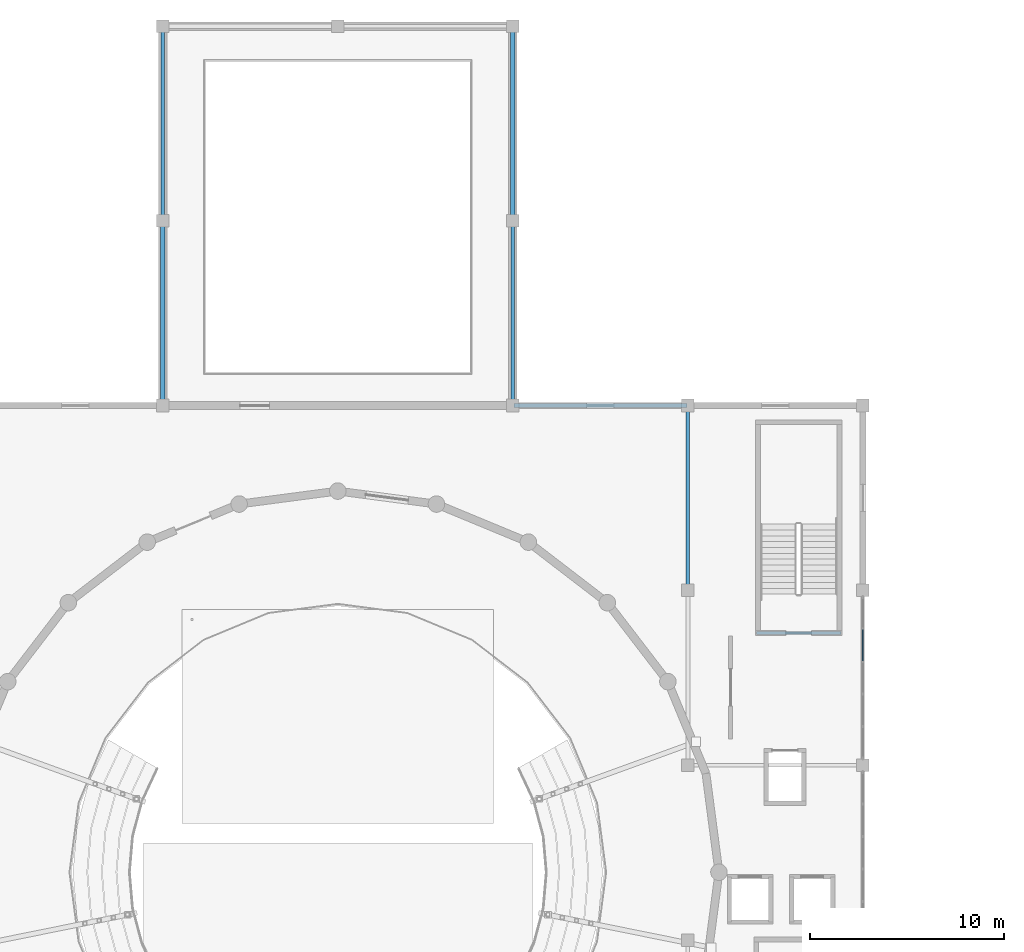
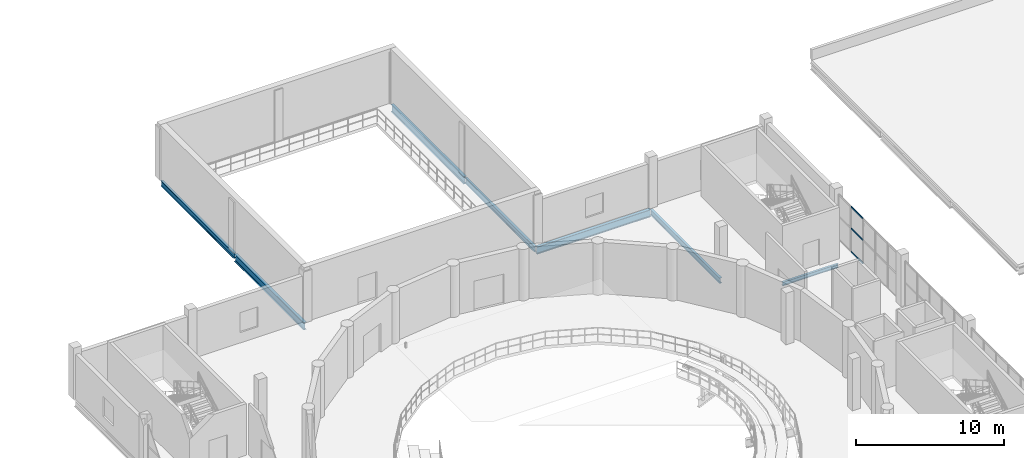
# One storey, part 25 of 54: 7 beams, 3 members, 1 element without a shape of its own.
"""IFC4 building model written with IfcOpenShell, lengths in metres."""

from ifc_helpers import new_model, si_unit, direction, frame, origin, origin_2d, place, context, subcontext, project, spatial, rectangle, i_section, extrude, material, layer, layer_set, material_profile, profile_set, type_object, element, aggregate, save


model = new_model("IFC4")

# Units and contexts
model_context = context("Model", 3, precision=1e-05, world=origin(), true_north=direction((0.0, 1.0)))
body_context = subcontext(model_context, "Body", "Model", "MODEL_VIEW")
ifc_project = project(units=[si_unit("LENGTHUNIT", "METRE"), si_unit("AREAUNIT", "SQUARE_METRE"), si_unit("VOLUMEUNIT", "CUBIC_METRE"), si_unit("PLANEANGLEUNIT", "RADIAN"), si_unit("MASSUNIT", "GRAM", prefix="KILO")], contexts=[model_context])

# Site, building, storey
site_placement = place(None, origin())
site = spatial("IfcSite", under=ifc_project, at=site_placement, CompositionType="ELEMENT")
building_placement = place(site_placement, origin())
building = spatial("IfcBuilding", under=site, at=building_placement, Name="Marnock Terrace Opera House", CompositionType="ELEMENT")
storey_placement = place(building_placement, frame((0.0, 0.0, 19.199951171875)))
storey = spatial("IfcBuildingStorey", under=building, at=storey_placement, Name="L04", CompositionType="ELEMENT", Elevation=19.199951171875)

# Beams
ifc_material_1 = material(Name="Steel Grade 350 (AS/NZS 3679.1)", Category="steel")
ifc_material_profile_1 = material_profile(ifc_material_1, i_section(OverallWidth=0.18994140625, OverallDepth=0.45751953125, WebThickness=0.009033203125, FlangeThickness=0.014404296875, FilletRadius=0.011474609375, at=origin_2d()))
ifc_profile_set_1 = profile_set([ifc_material_profile_1], Name="Steel Grade 350 (AS/NZS 3679.1)")
beam_type_1 = type_object("IfcBeamType", Name="BM-GIRD-460B", PredefinedType="BEAM", material=ifc_profile_set_1)
beam_1_placement = place(storey_placement, frame((73.0, 94.050048828125, -0.478759765625), z_axis=(0.0, 1.0, 0.0), x_axis=(-1.0, 0.0, 0.0)))
element("IfcBeam", 1, at=beam_1_placement, inside=storey, type_object=beam_type_1, Name="L04 girder (X=73.0, 94.0..104.0)", PredefinedType="BEAM", context=body_context, shape_type="SweptSolid", body=[
    extrude(i_section(OverallWidth=0.18994140625, OverallDepth=0.45751953125, WebThickness=0.009033203125, FlangeThickness=0.014404296875, FilletRadius=0.011474609375, at=origin_2d()), origin(), (0.0, 0.0, 1.0), 9.89990234375),
])
for number, where, z_axis, x_axis, name in (
    (2, (91.0, 84.550048828125, -0.478759765625), (0.0, 1.0, 0.0), (-1.0, 0.0, 0.0), "L04 girder (X=91.0, 84.5..94.0)"),
    (3, (100.0, 75.050048828125, -0.478759765625), (0.0, 1.0, 0.0), (-1.0, 0.0, 0.0), "L04 girder (X=100.0, 75.0..84.5)"),
):
    element("IfcBeam", number, at=place(storey_placement, frame(where, z_axis=z_axis, x_axis=x_axis)), inside=storey, type_object=beam_type_1, Name=name, PredefinedType="BEAM", context=body_context, shape_type="SweptSolid", body=[
        extrude(i_section(OverallWidth=0.18994140625, OverallDepth=0.45751953125, WebThickness=0.009033203125, FlangeThickness=0.014404296875, FilletRadius=0.011474609375, at=origin_2d()), origin(), (0.0, 0.0, 1.0), 9.39990234375),
    ])
ifc_material_profile_2 = material_profile(ifc_material_1, i_section(OverallWidth=0.22802734375, OverallDepth=0.60693359375, WebThickness=0.01123046875, FlangeThickness=0.017333984375, FilletRadius=0.013916015625, at=origin_2d()))
ifc_profile_set_2 = profile_set([ifc_material_profile_2], Name="Steel Grade 350 (AS/NZS 3679.1)")
beam_type_2 = type_object("IfcBeamType", Name="BM-GIRD-610B", PredefinedType="BEAM", material=ifc_profile_set_2)
beam_2_placement = place(storey_placement, frame((91.050048828125, 84.5, -0.553466796875), z_axis=(1.0, 0.0, 0.0), x_axis=(0.0, 1.0, 0.0)))
element("IfcBeam", 4, at=beam_2_placement, inside=storey, type_object=beam_type_2, Name="L04 girder (91.0..100.0, Y=84.5)", PredefinedType="BEAM", context=body_context, shape_type="SweptSolid", body=[
    extrude(i_section(OverallWidth=0.22802734375, OverallDepth=0.60693359375, WebThickness=0.01123046875, FlangeThickness=0.017333984375, FilletRadius=0.013916015625, at=origin_2d()), origin(), (0.0, 0.0, 1.0), 8.89990234375),
])
ifc_material_profile_3 = material_profile(ifc_material_1, i_section(OverallWidth=0.22802734375, OverallDepth=0.60205078125, WebThickness=0.010498046875, FlangeThickness=0.014892578125, FilletRadius=0.013916015625, at=origin_2d()))
ifc_profile_set_3 = profile_set([ifc_material_profile_3], Name="Steel Grade 350 (AS/NZS 3679.1)")
beam_type_3 = type_object("IfcBeamType", Name="BM-GIRD-610C", PredefinedType="BEAM", material=ifc_profile_set_3)
beam_3_placement = place(storey_placement, frame((73.0, 84.550048828125, -0.551025390625), z_axis=(0.0, 1.0, 0.0), x_axis=(-1.0, 0.0, 0.0)))
element("IfcBeam", 5, at=beam_3_placement, inside=storey, type_object=beam_type_3, Name="L04 girder (X=73.0, 84.5..94.0)", PredefinedType="BEAM", context=body_context, shape_type="SweptSolid", body=[
    extrude(i_section(OverallWidth=0.22802734375, OverallDepth=0.60205078125, WebThickness=0.010498046875, FlangeThickness=0.014892578125, FilletRadius=0.013916015625, at=origin_2d()), origin(), (0.0, 0.0, 1.0), 9.39990234375),
])
beam_4_placement = place(storey_placement, frame((91.0, 94.050048828125, -0.551025390625), z_axis=(0.0, 1.0, 0.0), x_axis=(-1.0, 0.0, 0.0)))
element("IfcBeam", 6, at=beam_4_placement, inside=storey, type_object=beam_type_3, Name="L04 girder (X=91.0, 94.0..104.0)", PredefinedType="BEAM", context=body_context, shape_type="SweptSolid", body=[
    extrude(i_section(OverallWidth=0.22802734375, OverallDepth=0.60205078125, WebThickness=0.010498046875, FlangeThickness=0.014892578125, FilletRadius=0.013916015625, at=origin_2d()), origin(), (0.0, 0.0, 1.0), 9.89990234375),
])
ifc_material_profile_4 = material_profile(ifc_material_1, i_section(OverallWidth=0.166015625, OverallDepth=0.30712890625, WebThickness=0.006591796875, FlangeThickness=0.01171875, FilletRadius=0.011474609375, at=origin_2d()))
ifc_profile_set_4 = profile_set([ifc_material_profile_4], Name="Steel Grade 350 (AS/NZS 3679.1)")
beam_type_4 = type_object("IfcBeamType", Name="BM-LINT-310", PredefinedType="LINTEL", material=ifc_profile_set_4)
beam_5_placement = place(storey_placement, frame((103.52001953125, 72.800048828125, -0.599853515625), z_axis=(1.0, 0.0, 0.0), x_axis=(0.0, 1.0, 0.0)))
element("IfcBeam", 7, at=beam_5_placement, inside=storey, type_object=beam_type_4, Name="L03 Core C4 coupling lintel", PredefinedType="LINTEL", context=body_context, shape_type="SweptSolid", body=[
    extrude(i_section(OverallWidth=0.166015625, OverallDepth=0.30712890625, WebThickness=0.006591796875, FlangeThickness=0.01171875, FilletRadius=0.011474609375, at=origin_2d()), origin(), (0.0, 0.0, 1.0), 4.35986328125),
])

# Curtain wall, members
ifc_material_2 = material(Name="Anodised architectural bronze aluminium framing", Category="aluminium")
ifc_layer = layer(ifc_material_2, 0.159912109375)
ifc_layer_set = layer_set([ifc_layer], Name="Anodised architectural bronze aluminium framing")
curtain_wall_type = type_object("IfcCurtainWallType", Name="CW-DRUM-71x39", PredefinedType="NOTDEFINED", material=ifc_layer_set)
curtain_wall_placement = place(storey_placement, origin())
curtain_wall = element("IfcCurtainWall", 8, at=curtain_wall_placement, inside=storey, type_object=curtain_wall_type, Name="L04 glazed Beaux-Arts colonnade curtain wall CW-L04-V1E4", PredefinedType="NOTDEFINED")
ifc_material_profile_5 = material_profile(ifc_material_2, rectangle(XDim=0.06005859375, YDim=0.1298828125, at=origin_2d()))
ifc_profile_set_5 = profile_set([ifc_material_profile_5], Name="Anodised architectural bronze aluminium framing")
member_type = type_object("IfcMemberType", Name="CWT-60x130", PredefinedType="USERDEFINED", material=ifc_profile_set_5)
member_1_placement = place(storey_placement, frame((109.0, 71.36572265625, 0.030029296875), z_axis=(0.0, 1.0, 0.0), x_axis=(-1.0, 0.0, 0.0)))
member_1 = element("IfcMember", 9, at=member_1_placement, type_object=member_type, Name="CW-76 transom 4.1", ObjectType="TRANSOM", PredefinedType="USERDEFINED", context=body_context, shape_type="SweptSolid", body=[
    extrude(rectangle(XDim=0.06005859375, YDim=0.1298828125, at=origin_2d()), origin(), (0.0, 0.0, 1.0), 1.611572265625),
])
member_2_placement = place(storey_placement, frame((109.0, 71.36572265625, 1.95654296875), z_axis=(0.0, 1.0, 0.0), x_axis=(-1.0, 0.0, 0.0)))
member_2 = element("IfcMember", 10, at=member_2_placement, type_object=member_type, Name="CW-76 transom 4.2", ObjectType="TRANSOM", PredefinedType="USERDEFINED", context=body_context, shape_type="SweptSolid", body=[
    extrude(rectangle(XDim=0.06005859375, YDim=0.1298828125, at=origin_2d()), origin(), (0.0, 0.0, 1.0), 1.611572265625),
])
member_3_placement = place(storey_placement, frame((109.0, 71.36572265625, 3.732666015625), z_axis=(0.0, 1.0, 0.0), x_axis=(-1.0, 0.0, 0.0)))
member_3 = element("IfcMember", 11, at=member_3_placement, type_object=member_type, Name="CW-76 transom 4.3", ObjectType="TRANSOM", PredefinedType="USERDEFINED", context=body_context, shape_type="SweptSolid", body=[
    extrude(rectangle(XDim=0.06005859375, YDim=0.1298828125, at=origin_2d()), origin(), (0.0, 0.0, 1.0), 1.611572265625),
])
aggregate(curtain_wall, [member_1, member_2, member_3])

save(model, "model.ifc")
